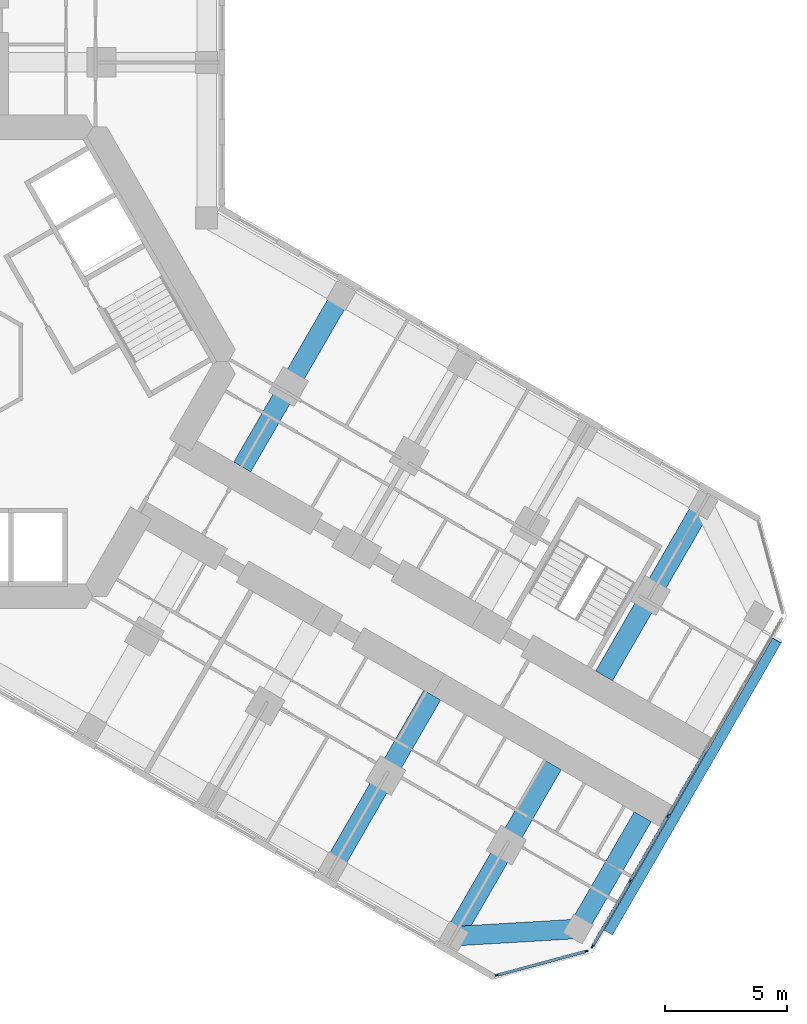
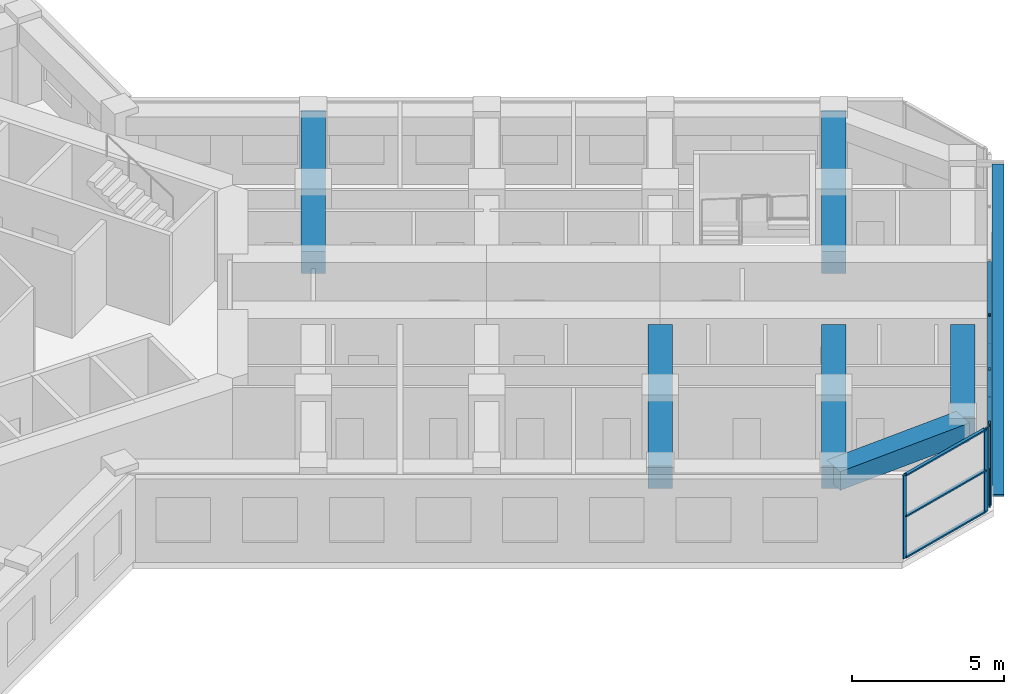
# One storey, part 5 of 21: 15 members, 6 beams, 2 elements without a shape of their own.
"""IFC4 building model written with IfcOpenShell, lengths in metres."""

from ifc_helpers import new_model, si_unit, direction, frame, origin, origin_2d, place, context, subcontext, project, spatial, rectangle, extrude, material, material_profile, profile_set, type_object, element, aggregate, save


model = new_model("IFC4")

# Units and contexts
model_context = context("Model", 3, precision=1e-05, world=origin(), true_north=direction((0.0, 1.0)))
body_context = subcontext(model_context, "Body", "Model", "MODEL_VIEW")
ifc_project = project(units=[si_unit("LENGTHUNIT", "METRE"), si_unit("AREAUNIT", "SQUARE_METRE"), si_unit("VOLUMEUNIT", "CUBIC_METRE"), si_unit("PLANEANGLEUNIT", "RADIAN"), si_unit("MASSUNIT", "GRAM", prefix="KILO")], contexts=[model_context])

# Site, building, storey
site_placement = place(None, origin())
site = spatial("IfcSite", under=ifc_project, at=site_placement, CompositionType="ELEMENT")
building_placement = place(site_placement, origin())
building = spatial("IfcBuilding", under=site, at=building_placement, Name="Kosmar Iwan School Tower", CompositionType="ELEMENT")
storey_placement = place(building_placement, frame((0.0, 0.0, 84.39990234375)))
storey = spatial("IfcBuildingStorey", under=building, at=storey_placement, Name="L20", CompositionType="ELEMENT", Elevation=84.39990234375)

# Member
ifc_material_1 = material(Name="Black anodised aluminium", Category="aluminium")
ifc_material_profile_1 = material_profile(ifc_material_1, rectangle(XDim=0.10009765625, YDim=0.39990234375, at=origin_2d()), Name="FIN 100x400")
ifc_profile_set_1 = profile_set([ifc_material_profile_1], Name="Black anodised aluminium")
member_type_1 = type_object("IfcMemberType", Name="Diagonal fin 100x400", PredefinedType="USERDEFINED", material=ifc_profile_set_1)
member_1_placement = place(storey_placement, frame((26.645263671875, -23.34912109375, -0.14990234375), z_axis=(0.483793446988, 0.837970316603, 0.25248692866), x_axis=(-0.126241714543, -0.218661104574, 0.96760030532)))
element("IfcMember", 1, at=member_1_placement, inside=storey, type_object=member_type_1, Name="Diagonal fin L20-F03", ObjectType="FIN", PredefinedType="USERDEFINED", context=body_context, shape_type="SweptSolid", body=[
    extrude(rectangle(XDim=0.10009765625, YDim=0.39990234375, at=origin_2d()), origin(), (0.0, 0.0, 1.0), 14.258544921875),
])

# Curtain wall, members
ifc_material_2 = material(Name="Dark glass in black aluminium frame", Category="aluminium")
curtain_wall_type_1 = type_object("IfcCurtainWallType", Name="Chamfer curtain wall dark glass", PredefinedType="USERDEFINED", material=ifc_material_2)
curtain_wall_1_placement = place(storey_placement, origin())
curtain_wall_1 = element("IfcCurtainWall", 2, at=curtain_wall_1_placement, inside=storey, type_object=curtain_wall_type_1, Name="Curtain wall L20-F02", ObjectType="FACETED CURTAIN WALL", PredefinedType="USERDEFINED")
ifc_material_3 = material(Name="Black anodised aluminium", Category="aluminium")
ifc_material_profile_2 = material_profile(ifc_material_3, rectangle(XDim=0.06005859375, YDim=0.159912109375, at=origin_2d()), Name="MULLION 60x160")
ifc_profile_set_2 = profile_set([ifc_material_profile_2], Name="Black anodised aluminium")
member_type_2 = type_object("IfcMemberType", Name="Mullion 60x160", PredefinedType="MULLION", material=ifc_profile_set_2)
member_2_placement = place(storey_placement, frame((22.0830078125, -25.102294921875, 0.0), z_axis=(0.0, 0.0, 1.0), x_axis=(-0.258818861462, 0.965925875495, 0.0)))
member_2 = element("IfcMember", 3, at=member_2_placement, type_object=member_type_2, Name="CW2 mullion 1", PredefinedType="MULLION", context=body_context, shape_type="SweptSolid", body=[
    extrude(rectangle(XDim=0.06005859375, YDim=0.159912109375, at=origin_2d()), origin(), (0.0, 0.0, 1.0), 3.35009765625),
])
member_3_placement = place(storey_placement, frame((25.733154296875, -24.124267578125, 0.0), z_axis=(0.0, 0.0, 1.0), x_axis=(-0.258818861462, 0.965925875495, 0.0)))
member_3 = element("IfcMember", 4, at=member_3_placement, type_object=member_type_2, Name="CW2 mullion 2", PredefinedType="MULLION", context=body_context, shape_type="SweptSolid", body=[
    extrude(rectangle(XDim=0.06005859375, YDim=0.159912109375, at=origin_2d()), origin(), (0.0, 0.0, 1.0), 3.35009765625),
])

ifc_material_4 = material(Name="Dark glass in black aluminium frame", Category="aluminium")
curtain_wall_type_2 = type_object("IfcCurtainWallType", Name="Tower curtain wall dark glass", PredefinedType="USERDEFINED", material=ifc_material_4)
curtain_wall_2_placement = place(storey_placement, origin())
curtain_wall_2 = element("IfcCurtainWall", 5, at=curtain_wall_2_placement, inside=storey, type_object=curtain_wall_type_2, Name="Curtain wall L20-F03", ObjectType="UNITISED CURTAIN WALL", PredefinedType="USERDEFINED")
member_4_placement = place(storey_placement, frame((25.9970703125, -23.921630859375, 0.0), z_axis=(0.0, 0.0, 1.0), x_axis=(-0.866025405329, 0.499999997325, 0.0)))
member_4 = element("IfcMember", 6, at=member_4_placement, type_object=member_type_2, Name="CW1 mullion 1", PredefinedType="MULLION", context=body_context, shape_type="SweptSolid", body=[
    extrude(rectangle(XDim=0.06005859375, YDim=0.159912109375, at=origin_2d()), origin(), (0.0, 0.0, 1.0), 3.35009765625),
])
member_5_placement = place(storey_placement, frame((27.53173828125, -21.263671875, 0.0), z_axis=(0.0, 0.0, 1.0), x_axis=(-0.866025405329, 0.499999997325, 0.0)))
member_5 = element("IfcMember", 7, at=member_5_placement, type_object=member_type_2, Name="CW1 mullion 2", PredefinedType="MULLION", context=body_context, shape_type="SweptSolid", body=[
    extrude(rectangle(XDim=0.06005859375, YDim=0.159912109375, at=origin_2d()), origin(), (0.0, 0.0, 1.0), 3.35009765625),
])
member_6_placement = place(storey_placement, frame((29.081298828125, -18.57958984375, 0.0), z_axis=(0.0, 0.0, 1.0), x_axis=(-0.866025405329, 0.499999997325, 0.0)))
member_6 = element("IfcMember", 8, at=member_6_placement, type_object=member_type_2, Name="CW1 mullion 3", PredefinedType="MULLION", context=body_context, shape_type="SweptSolid", body=[
    extrude(rectangle(XDim=0.06005859375, YDim=0.159912109375, at=origin_2d()), origin(), (0.0, 0.0, 1.0), 3.35009765625),
])

# Beams
ifc_material_5 = material(Name="Concrete C50/60", Category="concrete")
ifc_material_profile_3 = material_profile(ifc_material_5, rectangle(XDim=0.800048828125, YDim=0.75, at=origin_2d()), Name="RC 800x750")
ifc_profile_set_3 = profile_set([ifc_material_profile_3], Name="Concrete C50/60")
beam_type_1 = type_object("IfcBeamType", Name="RC tip beam 800x750", PredefinedType="BEAM", material=ifc_profile_set_3)
beam_1_placement = place(storey_placement, frame((20.31787109375, -23.508544921875, 2.97509765625), z_axis=(0.998260616478, 0.058955420358, 0.0), x_axis=(-0.058955420358, 0.998260616478, 0.0)))
element("IfcBeam", 9, at=beam_1_placement, inside=storey, type_object=beam_type_1, Name="Tip beam CR", PredefinedType="BEAM", context=body_context, shape_type="SweptSolid", body=[
    extrude(rectangle(XDim=0.800048828125, YDim=0.75, at=origin_2d()), origin(), (0.0, 0.0, 1.0), 5.08935546875),
])
beam_2_placement = place(storey_placement, frame((25.3984375, -23.20849609375, 2.97509765625), z_axis=(0.499993606316, 0.866029095148, 0.0), x_axis=(-0.866029095148, 0.499993606316, 0.0)))
element("IfcBeam", 10, at=beam_2_placement, inside=storey, type_object=beam_type_1, Name="Tip beam CR to corridor wall", PredefinedType="BEAM", context=body_context, shape_type="SweptSolid", body=[
    extrude(rectangle(XDim=0.800048828125, YDim=0.75, at=origin_2d()), origin(), (0.0, 0.0, 1.0), 5.2998046875),
])
ifc_material_6 = material(Name="Concrete C50/60", Category="concrete")
ifc_material_profile_4 = material_profile(ifc_material_6, rectangle(XDim=0.800048828125, YDim=0.89990234375, at=origin_2d()), Name="RC 800x900")
ifc_profile_set_4 = profile_set([ifc_material_profile_4], Name="Concrete C50/60")
beam_type_2 = type_object("IfcBeamType", Name="RC transverse beam 800x900", PredefinedType="BEAM", material=ifc_profile_set_4)
for number, where, z_axis, x_axis, name in (
    (11, (15.708740234375, 2.70849609375, 2.900146484375), (-0.499999880539, -0.866025472755, 0.0), (0.866025472755, -0.499999880539, 0.0), "Transverse beam CL1"),
    (12, (30.517822265625, -5.841552734375, 2.900146484375), (-0.499999880539, -0.866025472755, 0.0), (0.866025472755, -0.499999880539, 0.0), "Transverse beam CL4"),
    (13, (15.381591796875, -20.658447265625, 2.900146484375), (0.499977274689, 0.866038523851, 0.0), (-0.866038523851, 0.499977274689, 0.0), "Transverse beam CR3"),
    (14, (20.31787109375, -23.508544921875, 2.900146484375), (0.499999880539, 0.866025472755, 0.0), (-0.866025472755, 0.499999880539, 0.0), "Transverse beam CR4"),
):
    element("IfcBeam", number, at=place(storey_placement, frame(where, z_axis=z_axis, x_axis=x_axis)), inside=storey, type_object=beam_type_2, Name=name, PredefinedType="BEAM", context=body_context, shape_type="SweptSolid", body=[
        extrude(rectangle(XDim=0.800048828125, YDim=0.89990234375, at=origin_2d()), origin(), (0.0, 0.0, 1.0), 8.10009765625),
    ])

# Member
ifc_material_7 = material(Name="Black anodised aluminium", Category="aluminium")
ifc_material_profile_5 = material_profile(ifc_material_7, rectangle(XDim=0.1201171875, YDim=0.06005859375, at=origin_2d()), Name="TRANSOM 60x120")
ifc_profile_set_5 = profile_set([ifc_material_profile_5], Name="Black anodised aluminium")
member_type_3 = type_object("IfcMemberType", Name="Transom 60x120", PredefinedType="USERDEFINED", material=ifc_profile_set_5)
member_7_placement = place(storey_placement, frame((22.11181640625, -25.094482421875, 0.030029296875), z_axis=(0.965923731726, 0.258826861991, 0.0), x_axis=(-0.258826861991, 0.965923731726, 0.0)))
member_7 = element("IfcMember", 15, at=member_7_placement, type_object=member_type_3, Name="CW2 transom 1.1", ObjectType="TRANSOM", PredefinedType="USERDEFINED", context=body_context, shape_type="SweptSolid", body=[
    extrude(rectangle(XDim=0.1201171875, YDim=0.06005859375, at=origin_2d()), origin(), (0.0, 0.0, 1.0), 3.71923828125),
])

member_8_placement = place(storey_placement, frame((22.11181640625, -25.094482421875, 1.675048828125), z_axis=(0.965923731726, 0.258826861991, 0.0), x_axis=(-0.258826861991, 0.965923731726, 0.0)))
member_8 = element("IfcMember", 16, at=member_8_placement, type_object=member_type_3, Name="CW2 transom 1.2", ObjectType="TRANSOM", PredefinedType="USERDEFINED", context=body_context, shape_type="SweptSolid", body=[
    extrude(rectangle(XDim=0.1201171875, YDim=0.06005859375, at=origin_2d()), origin(), (0.0, 0.0, 1.0), 3.71923828125),
])

member_9_placement = place(storey_placement, frame((22.11181640625, -25.094482421875, 3.320068359375), z_axis=(0.965923731726, 0.258826861991, 0.0), x_axis=(-0.258826861991, 0.965923731726, 0.0)))
member_9 = element("IfcMember", 17, at=member_9_placement, type_object=member_type_3, Name="CW2 transom 1.3", ObjectType="TRANSOM", PredefinedType="USERDEFINED", context=body_context, shape_type="SweptSolid", body=[
    extrude(rectangle(XDim=0.1201171875, YDim=0.06005859375, at=origin_2d()), origin(), (0.0, 0.0, 1.0), 3.71923828125),
])

aggregate(curtain_wall_1, [member_2, member_3, member_7, member_8, member_9])

member_10_placement = place(storey_placement, frame((26.01220703125, -23.895751953125, 0.030029296875), z_axis=(0.499986971506, 0.866032925658, 0.0), x_axis=(-0.866032925658, 0.499986971506, 0.0)))
member_10 = element("IfcMember", 18, at=member_10_placement, type_object=member_type_3, Name="CW1 transom 1.1", ObjectType="TRANSOM", PredefinedType="USERDEFINED", context=body_context, shape_type="SweptSolid", body=[
    extrude(rectangle(XDim=0.1201171875, YDim=0.06005859375, at=origin_2d()), origin(), (0.0, 0.0, 1.0), 3.00927734375),
])

member_11_placement = place(storey_placement, frame((26.01220703125, -23.895751953125, 3.320068359375), z_axis=(0.499986971506, 0.866032925658, 0.0), x_axis=(-0.866032925658, 0.499986971506, 0.0)))
member_11 = element("IfcMember", 19, at=member_11_placement, type_object=member_type_3, Name="CW1 transom 1.2", ObjectType="TRANSOM", PredefinedType="USERDEFINED", context=body_context, shape_type="SweptSolid", body=[
    extrude(rectangle(XDim=0.1201171875, YDim=0.06005859375, at=origin_2d()), origin(), (0.0, 0.0, 1.0), 3.00927734375),
])

member_12_placement = place(storey_placement, frame((27.546875, -21.237548828125, 0.030029296875), z_axis=(0.499975102327, 0.866039777986, 0.0), x_axis=(-0.866039777986, 0.499975102327, 0.0)))
member_12 = element("IfcMember", 20, at=member_12_placement, type_object=member_type_3, Name="CW1 transom 2.1", ObjectType="TRANSOM", PredefinedType="USERDEFINED", context=body_context, shape_type="SweptSolid", body=[
    extrude(rectangle(XDim=0.1201171875, YDim=0.06005859375, at=origin_2d()), origin(), (0.0, 0.0, 1.0), 3.039306640625),
])

member_13_placement = place(storey_placement, frame((27.546875, -21.237548828125, 3.320068359375), z_axis=(0.499975102327, 0.866039777986, 0.0), x_axis=(-0.866039777986, 0.499975102327, 0.0)))
member_13 = element("IfcMember", 21, at=member_13_placement, type_object=member_type_3, Name="CW1 transom 2.2", ObjectType="TRANSOM", PredefinedType="USERDEFINED", context=body_context, shape_type="SweptSolid", body=[
    extrude(rectangle(XDim=0.1201171875, YDim=0.06005859375, at=origin_2d()), origin(), (0.0, 0.0, 1.0), 3.039306640625),
])

member_14_placement = place(storey_placement, frame((29.096435546875, -18.553466796875, 0.030029296875), z_axis=(0.499975102327, 0.866039777986, 0.0), x_axis=(-0.866039777986, 0.499975102327, 0.0)))
member_14 = element("IfcMember", 22, at=member_14_placement, type_object=member_type_3, Name="CW1 transom 3.1", ObjectType="TRANSOM", PredefinedType="USERDEFINED", context=body_context, shape_type="SweptSolid", body=[
    extrude(rectangle(XDim=0.1201171875, YDim=0.06005859375, at=origin_2d()), origin(), (0.0, 0.0, 1.0), 3.039306640625),
])

member_15_placement = place(storey_placement, frame((29.096435546875, -18.553466796875, 3.320068359375), z_axis=(0.499975102327, 0.866039777986, 0.0), x_axis=(-0.866039777986, 0.499975102327, 0.0)))
member_15 = element("IfcMember", 23, at=member_15_placement, type_object=member_type_3, Name="CW1 transom 3.2", ObjectType="TRANSOM", PredefinedType="USERDEFINED", context=body_context, shape_type="SweptSolid", body=[
    extrude(rectangle(XDim=0.1201171875, YDim=0.06005859375, at=origin_2d()), origin(), (0.0, 0.0, 1.0), 3.039306640625),
])

aggregate(curtain_wall_2, [member_4, member_5, member_6, member_10, member_11, member_12, member_13, member_14, member_15])

save(model, "model.ifc")
